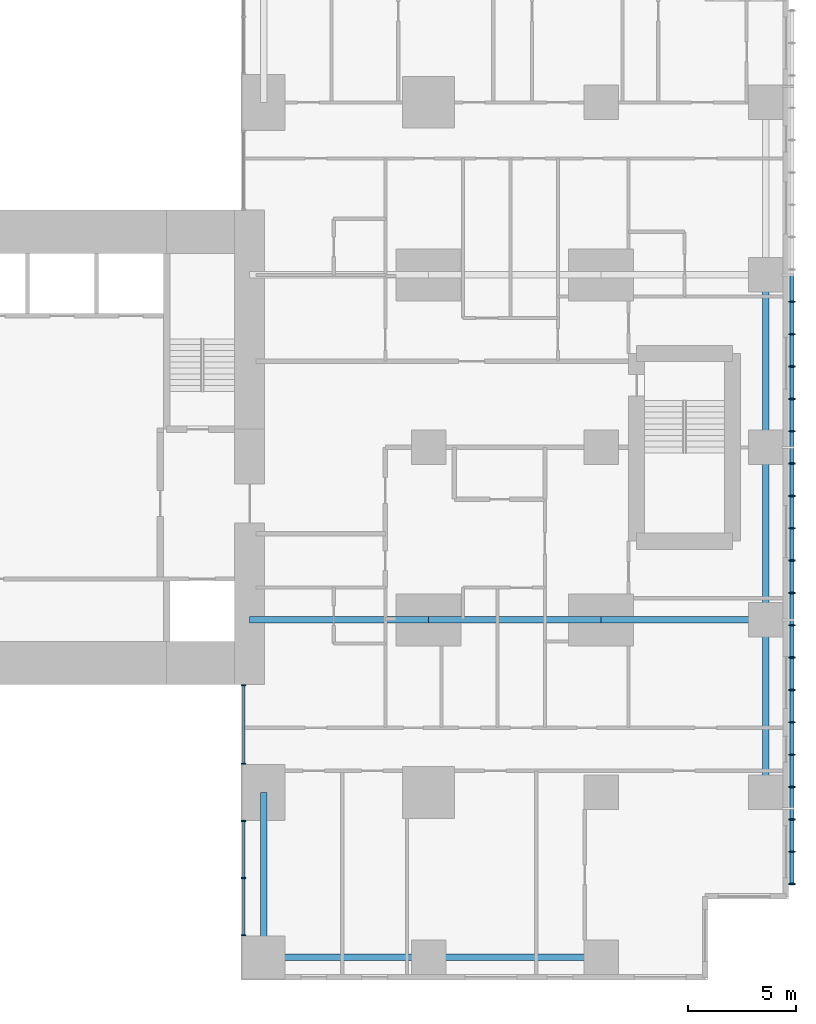
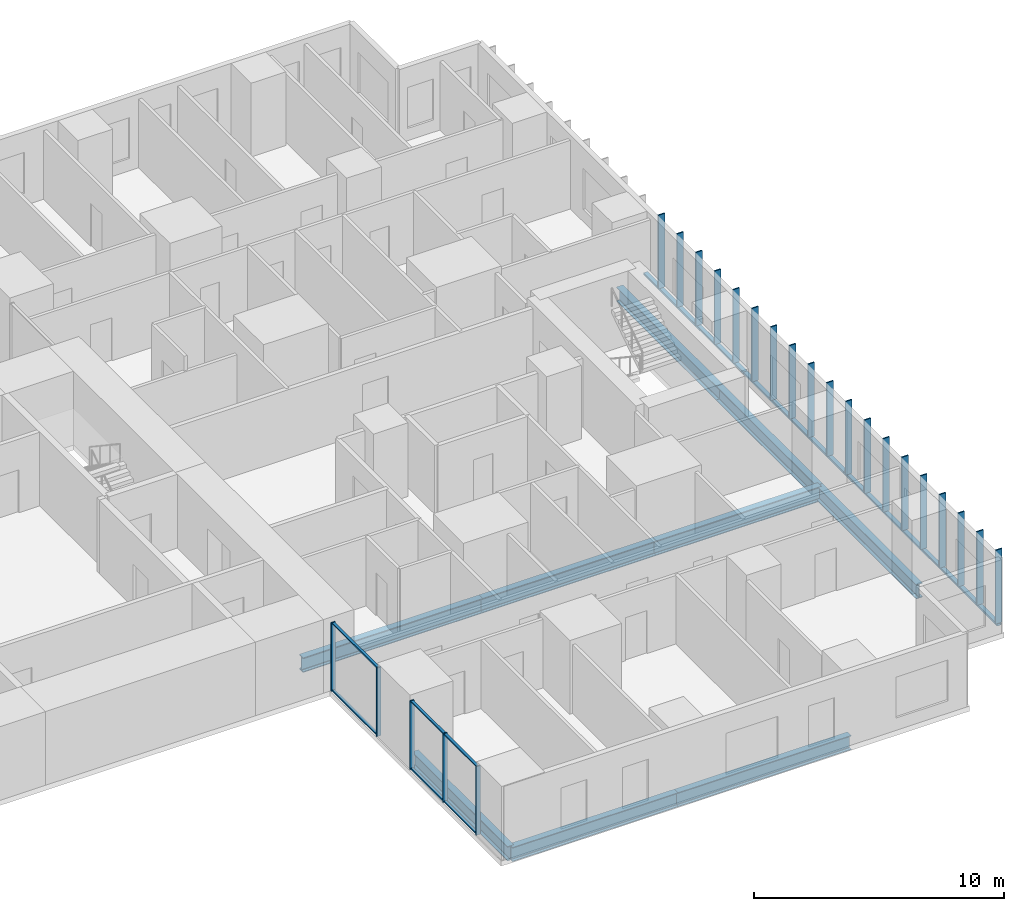
# One storey, part 2 of 12: 33 members, 9 beams, 2 elements without a shape of their own.
"""IFC4 building model written with IfcOpenShell, lengths in metres."""

from ifc_helpers import new_model, si_unit, direction, frame, origin, origin_2d, place, context, subcontext, project, spatial, rectangle, hollow_rectangle, i_section, extrude, material, layer, layer_set, material_profile, profile_set, type_object, element, aggregate, save


model = new_model("IFC4")

# Units and contexts
model_context = context("Model", 3, precision=1e-05, world=origin(), true_north=direction((0.0, 1.0)))
body_context = subcontext(model_context, "Body", "Model", "MODEL_VIEW")
ifc_project = project(units=[si_unit("LENGTHUNIT", "METRE"), si_unit("AREAUNIT", "SQUARE_METRE"), si_unit("VOLUMEUNIT", "CUBIC_METRE"), si_unit("PLANEANGLEUNIT", "RADIAN"), si_unit("MASSUNIT", "GRAM", prefix="KILO")], contexts=[model_context])

# Site, building, storey
site_placement = place(None, origin())
site = spatial("IfcSite", under=ifc_project, at=site_placement, CompositionType="ELEMENT")
building_placement = place(site_placement, origin())
building = spatial("IfcBuilding", under=site, at=building_placement, Name="Cleftline Residences", CompositionType="ELEMENT")
storey_placement = place(building_placement, frame((0.0, 0.0, 234.0)))
storey = spatial("IfcBuildingStorey", under=building, at=storey_placement, Name="L61", CompositionType="ELEMENT", Elevation=234.0)

# Members
ifc_material_1 = material(Name="Steel S355, hot-dip galvanised", Category="steel")
ifc_material_profile_1 = material_profile(ifc_material_1, hollow_rectangle(XDim=0.10009765625, YDim=0.199951171875, WallThickness=0.008056640625, InnerFilletRadius=0.008056640625, OuterFilletRadius=0.011962890625, at=origin_2d()))
ifc_profile_set_1 = profile_set([ifc_material_profile_1], Name="Steel S355, hot-dip galvanised")
member_type_1 = type_object("IfcMemberType", Name="BAGUETTE CARRIER RHS 200X100X8", PredefinedType="USERDEFINED", material=ifc_profile_set_1)
member_1_placement = place(storey_placement, frame((66.85009765625, 3.699951171875, -0.050048828125), z_axis=(0.0, 1.0, 0.0), x_axis=(0.0, 0.0, 1.0)))
element("IfcMember", 1, at=member_1_placement, inside=storey, type_object=member_type_1, Name="Baguette carrier", ObjectType="BAGUETTE CARRIER", PredefinedType="USERDEFINED", context=body_context, shape_type="SweptSolid", body=[
    extrude(hollow_rectangle(XDim=0.10009765625, YDim=0.199951171875, WallThickness=0.008056640625, InnerFilletRadius=0.008056640625, OuterFilletRadius=0.011962890625, at=origin_2d()), origin(), (0.0, 0.0, 1.0), 12.300048828125),
])
for number, where, z_axis, x_axis, name in (
    (2, (66.85009765625, 16.0, -0.050048828125), (0.0, 1.0, 0.0), (0.0, 0.0, 1.0), "Baguette carrier"),
    (3, (66.85009765625, 24.0, -0.050048828125), (0.0, 1.0, 0.0), (0.0, 0.0, 1.0), "Baguette carrier"),
):
    element("IfcMember", number, at=place(storey_placement, frame(where, z_axis=z_axis, x_axis=x_axis)), inside=storey, type_object=member_type_1, Name=name, ObjectType="BAGUETTE CARRIER", PredefinedType="USERDEFINED", context=body_context, shape_type="SweptSolid", body=[
        extrude(hollow_rectangle(XDim=0.10009765625, YDim=0.199951171875, WallThickness=0.008056640625, InnerFilletRadius=0.008056640625, OuterFilletRadius=0.011962890625, at=origin_2d()), origin(), (0.0, 0.0, 1.0), 8.0),
    ])

# Beams
ifc_material_2 = material(Name="Steel S355", Category="steel")
ifc_material_profile_2 = material_profile(ifc_material_2, i_section(OverallWidth=0.300048828125, OverallDepth=0.699951171875, WebThickness=0.01708984375, FlangeThickness=0.031982421875, FilletRadius=0.027099609375, at=origin_2d()))
ifc_profile_set_2 = profile_set([ifc_material_profile_2], Name="Steel S355")
beam_type_1 = type_object("IfcBeamType", Name="BEAM HEB 700", PredefinedType="BEAM", material=ifc_profile_set_2)
for number, where, z_axis, x_axis, name in (
    (4, (65.64990234375, 8.0, -0.60009765625), (0.0, 1.0, 0.0), (-1.0, 0.0, 0.0), "Edge beam"),
    (5, (65.64990234375, 16.0, -0.60009765625), (0.0, 1.0, 0.0), (-1.0, 0.0, 0.0), "Edge beam"),
    (6, (65.64990234375, 24.0, -0.60009765625), (0.0, 1.0, 0.0), (-1.0, 0.0, 0.0), "Edge beam"),
    (7, (58.0, 0.35009765625, -0.60009765625), (-1.0, 0.0, 0.0), (0.0, -1.0, 0.0), "Edge beam"),
):
    element("IfcBeam", number, at=place(storey_placement, frame(where, z_axis=z_axis, x_axis=x_axis)), inside=storey, type_object=beam_type_1, Name=name, PredefinedType="BEAM", context=body_context, shape_type="SweptSolid", body=[
        extrude(i_section(OverallWidth=0.300048828125, OverallDepth=0.699951171875, WebThickness=0.01708984375, FlangeThickness=0.031982421875, FilletRadius=0.027099609375, at=origin_2d()), origin(), (0.0, 0.0, 1.0), 8.0),
    ])
for number, where, z_axis, x_axis, name in (
    (8, (50.0, 0.35009765625, -0.60009765625), (-1.0, 0.0, 0.0), (0.0, -1.0, 0.0), "Edge beam"),
    (9, (42.35009765625, 0.35009765625, -0.60009765625), (0.0, 1.0, 0.0), (-1.0, 0.0, 0.0), "Edge beam"),
):
    element("IfcBeam", number, at=place(storey_placement, frame(where, z_axis=z_axis, x_axis=x_axis)), inside=storey, type_object=beam_type_1, Name=name, PredefinedType="BEAM", context=body_context, shape_type="SweptSolid", body=[
        extrude(i_section(OverallWidth=0.300048828125, OverallDepth=0.699951171875, WebThickness=0.01708984375, FlangeThickness=0.031982421875, FilletRadius=0.027099609375, at=origin_2d()), origin(), (0.0, 0.0, 1.0), 7.64990234375),
    ])
ifc_material_3 = material(Name="Steel S355", Category="steel")
ifc_material_profile_3 = material_profile(ifc_material_3, i_section(OverallWidth=0.303955078125, OverallDepth=0.716064453125, WebThickness=0.02099609375, FlangeThickness=0.0400390625, FilletRadius=0.027099609375, at=origin_2d()))
ifc_profile_set_3 = profile_set([ifc_material_profile_3], Name="Steel S355")
beam_type_2 = type_object("IfcBeamType", Name="BEAM HEM 700", PredefinedType="BEAM", material=ifc_profile_set_3)
beam_1_placement = place(storey_placement, frame((65.64990234375, 16.0, -0.60791015625), z_axis=(-1.0, 0.0, 0.0), x_axis=(0.0, -1.0, 0.0)))
element("IfcBeam", 10, at=beam_1_placement, inside=storey, type_object=beam_type_2, Name="Band beam", PredefinedType="BEAM", context=body_context, shape_type="SweptSolid", body=[
    extrude(i_section(OverallWidth=0.303955078125, OverallDepth=0.716064453125, WebThickness=0.02099609375, FlangeThickness=0.0400390625, FilletRadius=0.027099609375, at=origin_2d()), origin(), (0.0, 0.0, 1.0), 7.64990234375),
])
beam_2_placement = place(storey_placement, frame((58.0, 16.0, -0.60791015625), z_axis=(-1.0, 0.0, 0.0), x_axis=(0.0, -1.0, 0.0)))
element("IfcBeam", 11, at=beam_2_placement, inside=storey, type_object=beam_type_2, Name="Band beam", PredefinedType="BEAM", context=body_context, shape_type="SweptSolid", body=[
    extrude(i_section(OverallWidth=0.303955078125, OverallDepth=0.716064453125, WebThickness=0.02099609375, FlangeThickness=0.0400390625, FilletRadius=0.027099609375, at=origin_2d()), origin(), (0.0, 0.0, 1.0), 8.0),
])
beam_3_placement = place(storey_placement, frame((50.0, 16.0, -0.60791015625), z_axis=(-1.0, 0.0, 0.0), x_axis=(0.0, -1.0, 0.0)))
element("IfcBeam", 12, at=beam_3_placement, inside=storey, type_object=beam_type_2, Name="Band beam", PredefinedType="BEAM", context=body_context, shape_type="SweptSolid", body=[
    extrude(i_section(OverallWidth=0.303955078125, OverallDepth=0.716064453125, WebThickness=0.02099609375, FlangeThickness=0.0400390625, FilletRadius=0.027099609375, at=origin_2d()), origin(), (0.0, 0.0, 1.0), 8.300048828125),
])

# Curtain wall, members
ifc_material_4 = material(Name="Aluminium framed curtain wall", Category="aluminium")
ifc_layer = layer(ifc_material_4, 0.199951171875)
ifc_layer_set = layer_set([ifc_layer], Name="CW1 CLEFT GLAZING")
curtain_wall_type = type_object("IfcCurtainWallType", Name="CW1 CLEFT GLAZING", PredefinedType="NOTDEFINED", material=ifc_layer_set)
curtain_wall_1_placement = place(storey_placement, origin())
curtain_wall_1 = element("IfcCurtainWall", 13, at=curtain_wall_1_placement, inside=storey, type_object=curtain_wall_type, Name="Curtain wall CW1", PredefinedType="NOTDEFINED")
ifc_material_5 = material(Name="Aluminium mullion", Category="aluminium")
ifc_material_profile_4 = material_profile(ifc_material_5, rectangle(XDim=0.199951171875, YDim=0.06005859375, at=origin_2d()))
ifc_profile_set_4 = profile_set([ifc_material_profile_4], Name="Aluminium mullion")
member_type_2 = type_object("IfcMemberType", Name="CW1 MULLION", PredefinedType="MULLION", material=ifc_profile_set_4)
member_2_placement = place(storey_placement, frame((41.425048828125, 12.969970703125, 0.0), z_axis=(0.0, 0.0, 1.0), x_axis=(1.0, 0.0, 0.0)))
member_2 = element("IfcMember", 14, at=member_2_placement, type_object=member_type_2, Name="CW1 mullion 1", PredefinedType="MULLION", context=body_context, shape_type="SweptSolid", body=[
    extrude(rectangle(XDim=0.199951171875, YDim=0.06005859375, at=origin_2d()), origin(), (0.0, 0.0, 1.0), 3.35009765625),
])
member_3_placement = place(storey_placement, frame((41.425048828125, 9.330078125, 0.0), z_axis=(0.0, 0.0, 1.0), x_axis=(1.0, 0.0, 0.0)))
member_3 = element("IfcMember", 15, at=member_3_placement, type_object=member_type_2, Name="CW1 mullion 2", PredefinedType="MULLION", context=body_context, shape_type="SweptSolid", body=[
    extrude(rectangle(XDim=0.199951171875, YDim=0.06005859375, at=origin_2d()), origin(), (0.0, 0.0, 1.0), 3.35009765625),
])

curtain_wall_2_placement = place(storey_placement, origin())
curtain_wall_2 = element("IfcCurtainWall", 16, at=curtain_wall_2_placement, inside=storey, type_object=curtain_wall_type, Name="Curtain wall CW1", PredefinedType="NOTDEFINED")
member_4_placement = place(storey_placement, frame((41.425048828125, 6.669921875, 0.0), z_axis=(0.0, 0.0, 1.0), x_axis=(1.0, 0.0, 0.0)))
member_4 = element("IfcMember", 17, at=member_4_placement, type_object=member_type_2, Name="CW1 mullion 1", PredefinedType="MULLION", context=body_context, shape_type="SweptSolid", body=[
    extrude(rectangle(XDim=0.199951171875, YDim=0.06005859375, at=origin_2d()), origin(), (0.0, 0.0, 1.0), 3.35009765625),
])
member_5_placement = place(storey_placement, frame((41.425048828125, 4.02490234375, 0.0), z_axis=(0.0, 0.0, 1.0), x_axis=(1.0, 0.0, 0.0)))
member_5 = element("IfcMember", 18, at=member_5_placement, type_object=member_type_2, Name="CW1 mullion 2", PredefinedType="MULLION", context=body_context, shape_type="SweptSolid", body=[
    extrude(rectangle(XDim=0.199951171875, YDim=0.06005859375, at=origin_2d()), origin(), (0.0, 0.0, 1.0), 3.35009765625),
])
member_6_placement = place(storey_placement, frame((41.425048828125, 1.3798828125, 0.0), z_axis=(0.0, 0.0, 1.0), x_axis=(1.0, 0.0, 0.0)))
member_6 = element("IfcMember", 19, at=member_6_placement, type_object=member_type_2, Name="CW1 mullion 3", PredefinedType="MULLION", context=body_context, shape_type="SweptSolid", body=[
    extrude(rectangle(XDim=0.199951171875, YDim=0.06005859375, at=origin_2d()), origin(), (0.0, 0.0, 1.0), 3.35009765625),
])

# Member
ifc_material_6 = material(Name="Aluminium transom", Category="aluminium")
ifc_material_profile_5 = material_profile(ifc_material_6, rectangle(XDim=0.1201171875, YDim=0.06005859375, at=origin_2d()))
ifc_profile_set_5 = profile_set([ifc_material_profile_5], Name="Aluminium transom")
member_type_3 = type_object("IfcMemberType", Name="CW1 TRANSOM", PredefinedType="USERDEFINED", material=ifc_profile_set_5)
member_7_placement = place(storey_placement, frame((41.425048828125, 12.93994140625, 0.030029296875), z_axis=(0.0, -1.0, 0.0), x_axis=(1.0, 0.0, 0.0)))
member_7 = element("IfcMember", 20, at=member_7_placement, type_object=member_type_3, Name="CW1 transom 1.1", ObjectType="TRANSOM", PredefinedType="USERDEFINED", context=body_context, shape_type="SweptSolid", body=[
    extrude(rectangle(XDim=0.1201171875, YDim=0.06005859375, at=origin_2d()), origin(), (0.0, 0.0, 1.0), 3.579833984375),
])

member_8_placement = place(storey_placement, frame((41.425048828125, 12.93994140625, 3.320068359375), z_axis=(0.0, -1.0, 0.0), x_axis=(1.0, 0.0, 0.0)))
member_8 = element("IfcMember", 21, at=member_8_placement, type_object=member_type_3, Name="CW1 transom 1.2", ObjectType="TRANSOM", PredefinedType="USERDEFINED", context=body_context, shape_type="SweptSolid", body=[
    extrude(rectangle(XDim=0.1201171875, YDim=0.06005859375, at=origin_2d()), origin(), (0.0, 0.0, 1.0), 3.579833984375),
])

aggregate(curtain_wall_1, [member_2, member_3, member_7, member_8])

member_9_placement = place(storey_placement, frame((41.425048828125, 6.639892578125, 0.030029296875), z_axis=(0.0, -1.0, 0.0), x_axis=(1.0, 0.0, 0.0)))
member_9 = element("IfcMember", 22, at=member_9_placement, type_object=member_type_3, Name="CW1 transom 1.1", ObjectType="TRANSOM", PredefinedType="USERDEFINED", context=body_context, shape_type="SweptSolid", body=[
    extrude(rectangle(XDim=0.1201171875, YDim=0.06005859375, at=origin_2d()), origin(), (0.0, 0.0, 1.0), 2.5849609375),
])

member_10_placement = place(storey_placement, frame((41.425048828125, 6.639892578125, 3.320068359375), z_axis=(0.0, -1.0, 0.0), x_axis=(1.0, 0.0, 0.0)))
member_10 = element("IfcMember", 23, at=member_10_placement, type_object=member_type_3, Name="CW1 transom 1.2", ObjectType="TRANSOM", PredefinedType="USERDEFINED", context=body_context, shape_type="SweptSolid", body=[
    extrude(rectangle(XDim=0.1201171875, YDim=0.06005859375, at=origin_2d()), origin(), (0.0, 0.0, 1.0), 2.5849609375),
])

member_11_placement = place(storey_placement, frame((41.425048828125, 3.9951171875, 0.030029296875), z_axis=(0.0, -1.0, 0.0), x_axis=(1.0, 0.0, 0.0)))
member_11 = element("IfcMember", 24, at=member_11_placement, type_object=member_type_3, Name="CW1 transom 2.1", ObjectType="TRANSOM", PredefinedType="USERDEFINED", context=body_context, shape_type="SweptSolid", body=[
    extrude(rectangle(XDim=0.1201171875, YDim=0.06005859375, at=origin_2d()), origin(), (0.0, 0.0, 1.0), 2.585205078125),
])

member_12_placement = place(storey_placement, frame((41.425048828125, 3.9951171875, 3.320068359375), z_axis=(0.0, -1.0, 0.0), x_axis=(1.0, 0.0, 0.0)))
member_12 = element("IfcMember", 25, at=member_12_placement, type_object=member_type_3, Name="CW1 transom 2.2", ObjectType="TRANSOM", PredefinedType="USERDEFINED", context=body_context, shape_type="SweptSolid", body=[
    extrude(rectangle(XDim=0.1201171875, YDim=0.06005859375, at=origin_2d()), origin(), (0.0, 0.0, 1.0), 2.585205078125),
])

aggregate(curtain_wall_2, [member_4, member_5, member_6, member_9, member_10, member_11, member_12])

# Members
ifc_material_7 = material(Name="Extruded terracotta", Category="masonry")
ifc_material_profile_6 = material_profile(ifc_material_7, rectangle(XDim=0.06005859375, YDim=0.300048828125, at=origin_2d()))
ifc_profile_set_6 = profile_set([ifc_material_profile_6], Name="Extruded terracotta")
member_type_4 = type_object("IfcMemberType", Name="TERRACOTTA BAGUETTE 60X300", PredefinedType="USERDEFINED", material=ifc_profile_set_6)
for number, where, z_axis, x_axis, name in (
    (26, (66.85009765625, 3.75, 0.0), (0.0, 0.0, 1.0), (0.0, 1.0, 0.0), "Terracotta baguette"),
    (27, (66.85009765625, 5.25, 0.0), (0.0, 0.0, 1.0), (0.0, 1.0, 0.0), "Terracotta baguette"),
    (28, (66.85009765625, 6.75, 0.0), (0.0, 0.0, 1.0), (0.0, 1.0, 0.0), "Terracotta baguette"),
    (29, (66.85009765625, 8.25, 0.0), (0.0, 0.0, 1.0), (0.0, 1.0, 0.0), "Terracotta baguette"),
    (30, (66.85009765625, 9.75, 0.0), (0.0, 0.0, 1.0), (0.0, 1.0, 0.0), "Terracotta baguette"),
    (31, (66.85009765625, 11.25, 0.0), (0.0, 0.0, 1.0), (0.0, 1.0, 0.0), "Terracotta baguette"),
    (32, (66.85009765625, 12.75, 0.0), (0.0, 0.0, 1.0), (0.0, 1.0, 0.0), "Terracotta baguette"),
    (33, (66.85009765625, 14.25, 0.0), (0.0, 0.0, 1.0), (0.0, 1.0, 0.0), "Terracotta baguette"),
    (34, (66.85009765625, 15.75, 0.0), (0.0, 0.0, 1.0), (0.0, 1.0, 0.0), "Terracotta baguette"),
    (35, (66.85009765625, 17.25, 0.0), (0.0, 0.0, 1.0), (0.0, 1.0, 0.0), "Terracotta baguette"),
    (36, (66.85009765625, 18.75, 0.0), (0.0, 0.0, 1.0), (0.0, 1.0, 0.0), "Terracotta baguette"),
    (37, (66.85009765625, 20.25, 0.0), (0.0, 0.0, 1.0), (0.0, 1.0, 0.0), "Terracotta baguette"),
    (38, (66.85009765625, 21.75, 0.0), (0.0, 0.0, 1.0), (0.0, 1.0, 0.0), "Terracotta baguette"),
    (39, (66.85009765625, 23.25, 0.0), (0.0, 0.0, 1.0), (0.0, 1.0, 0.0), "Terracotta baguette"),
    (40, (66.85009765625, 24.75, 0.0), (0.0, 0.0, 1.0), (0.0, 1.0, 0.0), "Terracotta baguette"),
    (41, (66.85009765625, 26.25, 0.0), (0.0, 0.0, 1.0), (0.0, 1.0, 0.0), "Terracotta baguette"),
    (42, (66.85009765625, 27.75, 0.0), (0.0, 0.0, 1.0), (0.0, 1.0, 0.0), "Terracotta baguette"),
    (43, (66.85009765625, 29.25, 0.0), (0.0, 0.0, 1.0), (0.0, 1.0, 0.0), "Terracotta baguette"),
    (44, (66.85009765625, 30.75, 0.0), (0.0, 0.0, 1.0), (0.0, 1.0, 0.0), "Terracotta baguette"),
):
    element("IfcMember", number, at=place(storey_placement, frame(where, z_axis=z_axis, x_axis=x_axis)), inside=storey, type_object=member_type_4, Name=name, ObjectType="BAGUETTE", PredefinedType="USERDEFINED", context=body_context, shape_type="SweptSolid", body=[
        extrude(rectangle(XDim=0.06005859375, YDim=0.300048828125, at=origin_2d()), origin(), (0.0, 0.0, 1.0), 3.60009765625),
    ])

save(model, "model.ifc")
